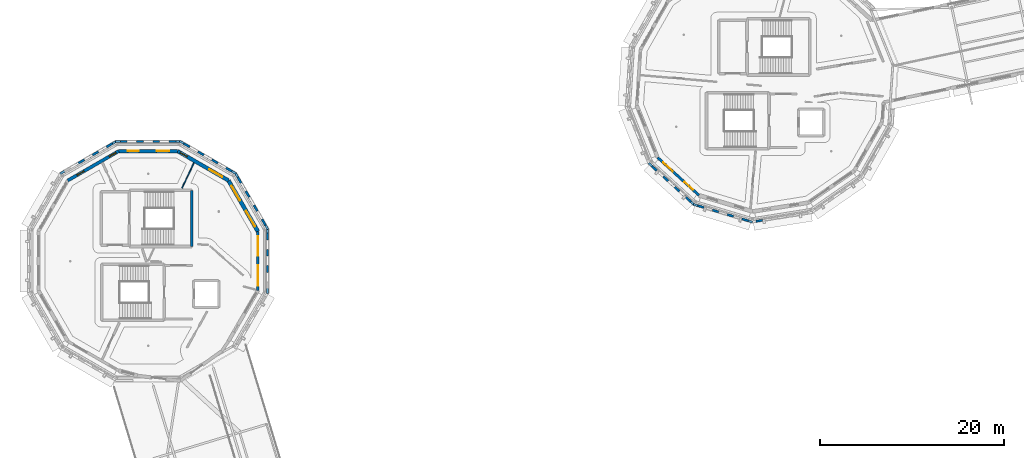
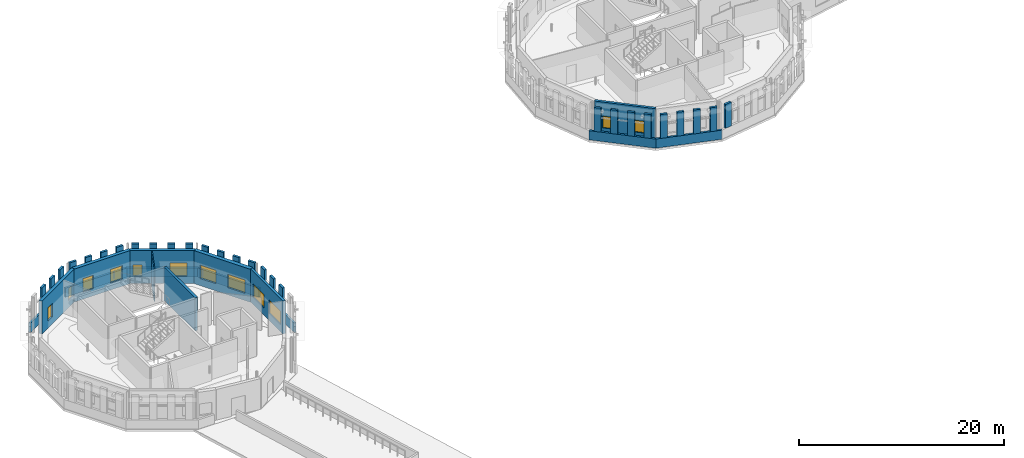
# One storey, part 40 of 68: 42 walls, 12 windows, 12 openings.
"""IFC4 building model written with IfcOpenShell, lengths in metres."""

import ifcopenshell
import ifcopenshell.guid

model = None  # the IFC model being written
_history = None  # IfcOwnerHistory: only IFC2X3 demands one
_inside = {}  # id of a spatial element -> (the spatial element, [elements in it])
_under = {}  # id of a project, library or spatial element -> (it, [spatial elements below it])
_declared = {}  # id of a project -> (the project, [libraries it declares])
_typed = {}  # id of a type object -> (the type object, [elements of that type])
_made_of = {}  # id of a material, layer set ... -> (it, [elements and type objects made of it])


def new_model(schema):
    """Start an empty IFC model of exactly this schema.

    Asked for "IFC4X3", IfcOpenShell would pick the latest addendum, in which some entities
    have other attributes; the version numbers below select the first issue.
    IFC2X3 requires an IfcOwnerHistory on every rooted entity: one is made here for all.
    """
    global model, _history
    if schema == "IFC4X3":
        model = ifcopenshell.file(schema_version=(4, 3, 0, 0))
    else:
        model = ifcopenshell.file(schema=schema)
    _inside.clear()
    _under.clear()
    _declared.clear()
    _typed.clear()
    _made_of.clear()
    _history = None
    if model.schema == "IFC2X3":
        org = make("IfcOrganization", Name="unknown")
        user = make(
            "IfcPersonAndOrganization",
            ThePerson=make("IfcPerson", FamilyName="unknown"),
            TheOrganization=org,
        )
        app = make(
            "IfcApplication",
            ApplicationDeveloper=org,
            Version="unknown",
            ApplicationFullName="unknown",
            ApplicationIdentifier="unknown",
        )
        _history = make(
            "IfcOwnerHistory",
            OwningUser=user,
            OwningApplication=app,
            ChangeAction="ADDED",
            CreationDate=0,
        )
    return model


def make(cls, **values):
    """One entity of the class cls with the attributes given. An attribute that is None is left unset."""
    return model.create_entity(
        cls, **{name: value for name, value in values.items() if value is not None}
    )


def rooted(cls, **values):
    """An entity with a GlobalId (a new one), such as an element, a storey or a relation."""
    return make(cls, GlobalId=ifcopenshell.guid.new(), OwnerHistory=_history, **values)


def si_unit(unit_type, name, prefix=None):
    """IfcSIUnit, for example si_unit("LENGTHUNIT", "METRE", prefix="MILLI")."""
    return make("IfcSIUnit", UnitType=unit_type, Prefix=prefix, Name=name)


def assignment(units):
    """IfcUnitAssignment: the units of a project."""
    return None if units is None else make("IfcUnitAssignment", Units=units)


def point(xyz):
    """IfcCartesianPoint."""
    return None if xyz is None else make("IfcCartesianPoint", Coordinates=xyz)


def direction(xyz):
    """IfcDirection."""
    return None if xyz is None else make("IfcDirection", DirectionRatios=xyz)


def frame(location, z_axis=None, x_axis=None):
    """IfcAxis2Placement3D, a coordinate frame: its origin and axes. An axis left out is left unset."""
    return make(
        "IfcAxis2Placement3D",
        Location=point(location),
        Axis=direction(z_axis),
        RefDirection=direction(x_axis),
    )


def frame_2d(location, x_axis=None):
    """IfcAxis2Placement2D, a coordinate frame in the plane: its origin and x axis."""
    return make(
        "IfcAxis2Placement2D", Location=point(location), RefDirection=direction(x_axis)
    )


def origin():
    """The frame at (0, 0, 0) with its axes left unset."""
    return frame((0.0, 0.0, 0.0))


def place(relative_to, where):
    """IfcLocalPlacement: puts the frame where relative to a parent placement (None: the world)."""
    return make(
        "IfcLocalPlacement", PlacementRelTo=relative_to, RelativePlacement=where
    )


def context(
    kind, dimensions, precision=None, world=None, true_north=None, identifier=None
):
    """IfcGeometricRepresentationContext, for example the 3D "Model" context."""
    return make(
        "IfcGeometricRepresentationContext",
        ContextIdentifier=identifier,
        ContextType=kind,
        CoordinateSpaceDimension=dimensions,
        Precision=precision,
        WorldCoordinateSystem=world,
        TrueNorth=true_north,
    )


def subcontext(parent, identifier, kind, view, scale=None):
    """IfcGeometricRepresentationSubContext, for example "Body" below "Model"."""
    return make(
        "IfcGeometricRepresentationSubContext",
        ContextIdentifier=identifier,
        ContextType=kind,
        ParentContext=parent,
        TargetScale=scale,
        TargetView=view,
    )


def project(units=None, contexts=None):
    """IfcProject with its units and contexts."""
    return rooted(
        "IfcProject",
        Name="project",
        RepresentationContexts=contexts,
        UnitsInContext=assignment(units),
    )


def spatial(cls, under=None, at=None, **own):
    """A site, building, storey or space (cls), placed at a placement, below another one or the project."""
    s = rooted(cls, ObjectPlacement=at, **own)
    if under is not None:
        _under.setdefault(under.id(), (under, []))[1].append(s)
    return s


def profile(cls, at=None, kind="AREA", **sizes):
    """A parametric profile (cls). Its sizes go by their IFC names, for example OverallWidth=200.0."""
    return make(cls, ProfileType=kind, Position=at, **sizes)


def rectangle(**sizes):
    """IfcRectangleProfileDef."""
    return profile("IfcRectangleProfileDef", **sizes)


def extrude(swept, where, along, depth):
    """IfcExtrudedAreaSolid: the profile swept, set in the frame where, extruded along a direction by depth."""
    return make(
        "IfcExtrudedAreaSolid",
        SweptArea=swept,
        Position=where,
        ExtrudedDirection=direction(along),
        Depth=depth,
    )


def shape(context_of_items, identifier, shape_type, items):
    """IfcShapeRepresentation: the items that make up one representation, for example the "Body"."""
    return make(
        "IfcShapeRepresentation",
        ContextOfItems=context_of_items,
        RepresentationIdentifier=identifier,
        RepresentationType=shape_type,
        Items=items,
    )


def material(Name=None, Category=None):
    """IfcMaterial."""
    return make("IfcMaterial", Name=Name, Category=Category)


def layer(
    of_material, thickness, ventilated=None, Name=None, Category=None, Priority=None
):
    """IfcMaterialLayer: one layer of a wall or slab, of a material (None: an air gap)."""
    return make(
        "IfcMaterialLayer",
        Material=of_material,
        LayerThickness=thickness,
        IsVentilated=ventilated,
        Name=Name,
        Category=Category,
        Priority=Priority,
    )


def layer_set(layers, Name=None):
    """IfcMaterialLayerSet."""
    return make("IfcMaterialLayerSet", MaterialLayers=layers, LayerSetName=Name)


def made_of(thing, what):
    """Note that an element or type object is made of a material, layer set ...; save() writes the relation."""
    if what is not None:
        _made_of.setdefault(what.id(), (what, []))[1].append(thing)
    return thing


def type_object(cls, material=None, **own):
    """A type object (cls), such as IfcWallType, which elements share."""
    return made_of(rooted(cls, **own), material)


def element(
    cls,
    number,
    at=None,
    inside=None,
    cuts=None,
    type_object=None,
    material=None,
    context=None,
    identifier="Body",
    shape_type=None,
    held_by="IfcProductDefinitionShape",
    body=None,
    shapes=None,
    **own,
):
    """One element of the class cls, such as IfcWall. Its Tag is "e" and its number.

    at: its placement. inside: the storey or other place that contains it. cuts: it is an
    opening in that element (IfcRelVoidsElement). A single representation is given by context,
    identifier, shape_type and body (its items); several are given by shapes. held_by: the class
    of the entity that holds the representations. save() writes the other relations.
    """
    e = rooted(cls, Tag="e%d" % number, ObjectPlacement=at, **own)
    if body is not None:
        shapes = [shape(context, identifier, shape_type, body)]
    if shapes is not None:
        e.Representation = make(held_by, Representations=shapes)
    if inside is not None:
        _inside.setdefault(inside.id(), (inside, []))[1].append(e)
    if cuts is not None:
        rooted(
            "IfcRelVoidsElement", RelatingBuildingElement=cuts, RelatedOpeningElement=e
        )
    if type_object is not None:
        _typed.setdefault(type_object.id(), (type_object, []))[1].append(e)
    return made_of(e, material)


def fill(opening, filler):
    """IfcRelFillsElement: the door or window that sits in an opening."""
    return rooted(
        "IfcRelFillsElement",
        RelatingOpeningElement=opening,
        RelatedBuildingElement=filler,
    )


def aggregate(whole, parts):
    """IfcRelAggregates: a whole, such as a stair, and the parts it consists of."""
    return rooted("IfcRelAggregates", RelatingObject=whole, RelatedObjects=parts)


def save(model, path):
    """Write the relations noted so far, then the file.

    IfcRelAggregates (storeys below a building ...), IfcRelContainedInSpatialStructure (elements
    in a storey), IfcRelDefinesByType, IfcRelAssociatesMaterial and IfcRelDeclares: one each for
    every whole, place, type object, material and project.
    """
    for whole, parts in _under.values():
        aggregate(whole, parts)
    for where, things in _inside.values():
        rooted(
            "IfcRelContainedInSpatialStructure",
            RelatedElements=things,
            RelatingStructure=where,
        )
    for kind, things in _typed.values():
        rooted("IfcRelDefinesByType", RelatedObjects=things, RelatingType=kind)
    for what, things in _made_of.values():
        rooted("IfcRelAssociatesMaterial", RelatedObjects=things, RelatingMaterial=what)
    for by, libraries in _declared.values():
        rooted("IfcRelDeclares", RelatingContext=by, RelatedDefinitions=libraries)
    model.write(path)


model = new_model("IFC4")

# Units and contexts
model_context = context("Model", 3, precision=1e-05, world=origin(), true_north=direction((0.0, 1.0)))
body_context = subcontext(model_context, "Body", "Model", "MODEL_VIEW")
ifc_project = project(units=[si_unit("LENGTHUNIT", "METRE"), si_unit("AREAUNIT", "SQUARE_METRE"), si_unit("VOLUMEUNIT", "CUBIC_METRE"), si_unit("PLANEANGLEUNIT", "RADIAN"), si_unit("MASSUNIT", "GRAM", prefix="KILO")], contexts=[model_context])

# Site, building, storey
site_placement = place(None, origin())
site = spatial("IfcSite", under=ifc_project, at=site_placement, CompositionType="ELEMENT")
building_placement = place(site_placement, origin())
building = spatial("IfcBuilding", under=site, at=building_placement, Name="Wrenclough Park School", CompositionType="ELEMENT")
storey_placement = place(building_placement, frame((0.0, 0.0, 12.60009765625)))
storey = spatial("IfcBuildingStorey", under=building, at=storey_placement, Name="L03", CompositionType="ELEMENT", Elevation=12.60009765625)

# Walls
ifc_material_1 = material(Name="Perforated open-bond Staffordshire and Manchester brick screen pier", Category="masonry")
ifc_layer_1 = layer(ifc_material_1, 0.2451171875)
ifc_layer_set_1 = layer_set([ifc_layer_1], Name="Perforated open-bond Staffordshire and Manchester brick screen pier")
wall_type_1 = type_object("IfcWallType", Name="ENV-BS-PR245", PredefinedType="ELEMENTEDWALL", material=ifc_layer_set_1)
wall_1_placement = place(storey_placement, frame((29.2255859375, 93.3720703125, 1.08984375), z_axis=(0.0, 0.0, 1.0), x_axis=(-0.500189527592, 0.865915952323, 0.0)))
element("IfcWall", 1, at=wall_1_placement, inside=storey, type_object=wall_type_1, Name="D3 L03 perforated brick screen pier 0759", PredefinedType="ELEMENTEDWALL", context=body_context, shape_type="SweptSolid", body=[
    extrude(rectangle(XDim=0.739013671875, YDim=0.2451171875, at=frame_2d((0.36962890625, 0.0))), origin(), (0.0, 0.0, 1.0), 2.85009765625),
])
wall_2_placement = place(storey_placement, frame((28.345458984375, 94.896240234375, 1.08984375), z_axis=(0.0, 0.0, 1.0), x_axis=(-0.499941746681, 0.866059033742, 0.0)))
element("IfcWall", 2, at=wall_2_placement, inside=storey, type_object=wall_type_1, Name="D3 L03 perforated brick screen pier 0760", PredefinedType="ELEMENTEDWALL", context=body_context, shape_type="SweptSolid", body=[
    extrude(rectangle(XDim=0.73876953125, YDim=0.2451171875, at=frame_2d((0.369384765625, 0.0))), origin(), (0.0, 0.0, 1.0), 2.85009765625),
])
for number, where, z_axis, x_axis, name in (
    (3, (27.465576171875, 96.42041015625, 1.08984375), (0.0, 0.0, 1.0), (-0.500189527592, 0.865915952323, 0.0), "D3 L03 perforated brick screen pier 0761"),
    (4, (26.58544921875, 97.944580078125, 1.08984375), (0.0, 0.0, 1.0), (-0.499798711192, 0.866141586746, 0.0), "D3 L03 perforated brick screen pier 0762"),
    (5, (25.584716796875, 99.216064453125, 1.08984375), (0.0, 0.0, 1.0), (-0.866141586746, 0.499798711192, 0.0), "D3 L03 perforated brick screen pier 0763"),
    (6, (24.060302734375, 100.095947265625, 1.08984375), (0.0, 0.0, 1.0), (-0.865915952323, 0.500189527592, 0.0), "D3 L03 perforated brick screen pier 0764"),
):
    element("IfcWall", number, at=place(storey_placement, frame(where, z_axis=z_axis, x_axis=x_axis)), inside=storey, type_object=wall_type_1, Name=name, PredefinedType="ELEMENTEDWALL", context=body_context, shape_type="SweptSolid", body=[
        extrude(rectangle(XDim=0.739013671875, YDim=0.2451171875, at=frame_2d((0.36962890625, 0.0))), origin(), (0.0, 0.0, 1.0), 2.85009765625),
    ])
wall_3_placement = place(storey_placement, frame((22.5361328125, 100.97607421875, 1.08984375), z_axis=(0.0, 0.0, 1.0), x_axis=(-0.866059033742, 0.499941746681, 0.0)))
element("IfcWall", 7, at=wall_3_placement, inside=storey, type_object=wall_type_1, Name="D3 L03 perforated brick screen pier 0765", PredefinedType="ELEMENTEDWALL", context=body_context, shape_type="SweptSolid", body=[
    extrude(rectangle(XDim=0.73876953125, YDim=0.2451171875, at=frame_2d((0.369384765625, 0.0))), origin(), (0.0, 0.0, 1.0), 2.85009765625),
])
for number, where, z_axis, x_axis, name in (
    (8, (21.011962890625, 101.85595703125, 1.08984375), (0.0, 0.0, 1.0), (-0.865915952323, 0.500189527592, 0.0), "D3 L03 perforated brick screen pier 0766"),
    (9, (19.509521484375, 102.45654296875, 1.08984375), (0.0, 0.0, 1.0), (-1.0, 0.0, 0.0), "D3 L03 perforated brick screen pier 0767"),
    (10, (17.74951171875, 102.45654296875, 1.08984375), (0.0, 0.0, 1.0), (-1.0, 0.0, 0.0), "D3 L03 perforated brick screen pier 0768"),
    (11, (15.989501953125, 102.45654296875, 1.08984375), (0.0, 0.0, 1.0), (-1.0, 0.0, 0.0), "D3 L03 perforated brick screen pier 0769"),
    (12, (14.2294921875, 102.45654296875, 1.08984375), (0.0, 0.0, 1.0), (-1.0, 0.0, 0.0), "D3 L03 perforated brick screen pier 0770"),
    (13, (12.6279296875, 102.2255859375, 1.08984375), (0.0, 0.0, 1.0), (-0.865915952323, -0.500189527592, 0.0), "D3 L03 perforated brick screen pier 0771"),
):
    element("IfcWall", number, at=place(storey_placement, frame(where, z_axis=z_axis, x_axis=x_axis)), inside=storey, type_object=wall_type_1, Name=name, PredefinedType="ELEMENTEDWALL", context=body_context, shape_type="SweptSolid", body=[
        extrude(rectangle(XDim=0.739013671875, YDim=0.2451171875, at=frame_2d((0.36962890625, 0.0))), origin(), (0.0, 0.0, 1.0), 2.85009765625),
    ])
wall_4_placement = place(storey_placement, frame((11.103759765625, 101.345458984375, 1.08984375), z_axis=(0.0, 0.0, 1.0), x_axis=(-0.866059033742, -0.499941746681, 0.0)))
element("IfcWall", 14, at=wall_4_placement, inside=storey, type_object=wall_type_1, Name="D3 L03 perforated brick screen pier 0772", PredefinedType="ELEMENTEDWALL", context=body_context, shape_type="SweptSolid", body=[
    extrude(rectangle(XDim=0.73876953125, YDim=0.2451171875, at=frame_2d((0.369384765625, 0.0))), origin(), (0.0, 0.0, 1.0), 2.85009765625),
])
for number, where, z_axis, x_axis, name in (
    (15, (9.57958984375, 100.465576171875, 1.08984375), (0.0, 0.0, 1.0), (-0.865915952323, -0.500189527592, 0.0), "D3 L03 perforated brick screen pier 0773"),
    (16, (29.45654296875, 88.25048828125, 1.08984375), (0.0, 0.0, 1.0), (0.0, 1.0, 0.0), "D3 L03 perforated brick screen pier 0796"),
    (17, (29.45654296875, 90.010498046875, 1.08984375), (0.0, 0.0, 1.0), (0.0, 1.0, 0.0), "D3 L03 perforated brick screen pier 0797"),
    (18, (29.45654296875, 91.7705078125, 1.08984375), (0.0, 0.0, 1.0), (0.0, 1.0, 0.0), "D3 L03 perforated brick screen pier 0798"),
):
    element("IfcWall", number, at=place(storey_placement, frame(where, z_axis=z_axis, x_axis=x_axis)), inside=storey, type_object=wall_type_1, Name=name, PredefinedType="ELEMENTEDWALL", context=body_context, shape_type="SweptSolid", body=[
        extrude(rectangle(XDim=0.739013671875, YDim=0.2451171875, at=frame_2d((0.36962890625, 0.0))), origin(), (0.0, 0.0, 1.0), 2.85009765625),
    ])
for number, where, z_axis, x_axis, name in (
    (19, (71.148681640625, 99.76416015625, 1.08984375), (0.0, 0.0, 1.0), (0.738093238047, -0.674698726803, 0.0), "D4 L03 perforated brick screen pier 0827"),
    (20, (72.380615234375, 98.63818359375, 1.08984375), (0.0, 0.0, 1.0), (0.738093238047, -0.674698726803, 0.0), "D4 L03 perforated brick screen pier 0828"),
    (21, (73.6123046875, 97.51220703125, 1.08984375), (0.0, 0.0, 1.0), (0.738093238047, -0.674698726803, 0.0), "D4 L03 perforated brick screen pier 0829"),
    (22, (74.84423828125, 96.38623046875, 1.08984375), (0.0, 0.0, 1.0), (0.738093238047, -0.674698726803, 0.0), "D4 L03 perforated brick screen pier 0830"),
    (23, (76.11279296875, 95.487060546875, 1.08984375), (0.0, 0.0, 1.0), (0.957730379015, -0.287667379297, 0.0), "D4 L03 perforated brick screen pier 0831"),
    (24, (77.711181640625, 95.007080078125, 1.08984375), (0.0, 0.0, 1.0), (0.957730379015, -0.287667379297, 0.0), "D4 L03 perforated brick screen pier 0832"),
    (25, (79.3095703125, 94.527099609375, 1.08984375), (0.0, 0.0, 1.0), (0.957826285221, -0.287347885566, 0.0), "D4 L03 perforated brick screen pier 0833"),
    (26, (80.907958984375, 94.047119140625, 1.08984375), (0.0, 0.0, 1.0), (0.957826285221, -0.287347885566, 0.0), "D4 L03 perforated brick screen pier 0834"),
    (27, (82.44091796875, 93.78759765625, 1.08984375), (0.0, 0.0, 1.0), (0.987697931756, 0.156373896812, 0.0), "D4 L03 perforated brick screen pier 0835"),
):
    element("IfcWall", number, at=place(storey_placement, frame(where, z_axis=z_axis, x_axis=x_axis)), inside=storey, type_object=wall_type_1, Name=name, PredefinedType="ELEMENTEDWALL", context=body_context, shape_type="SweptSolid", body=[
        extrude(rectangle(XDim=0.700927734375, YDim=0.2451171875, at=frame_2d((0.3505859375, 0.0))), origin(), (0.0, 0.0, 1.0), 2.85009765625),
    ])
ifc_material_2 = material(Name="Open-bond Manchester multi-stock brick spandrel screen", Category="masonry")
ifc_layer_2 = layer(ifc_material_2, 0.22509765625)
ifc_layer_set_2 = layer_set([ifc_layer_2], Name="Open-bond Manchester multi-stock brick spandrel screen")
wall_type_2 = type_object("IfcWallType", Name="ENV-BS-SP225", PredefinedType="ELEMENTEDWALL", material=ifc_layer_set_2)
for number, where, z_axis, x_axis, name in (
    (28, (29.480712890625, 92.929931640625, 0.0), (0.0, 0.0, 1.0), (-0.500010639957, 0.866019260715, 0.0), "D3 L03 open-bond brick screen spandrel 0203"),
    (29, (26.026611328125, 98.960693359375, 0.0), (0.0, 0.0, 1.0), (-0.866019260715, 0.500010639957, 0.0), "D3 L03 open-bond brick screen spandrel 0204"),
):
    element("IfcWall", number, at=place(storey_placement, frame(where, z_axis=z_axis, x_axis=x_axis)), inside=storey, type_object=wall_type_2, Name=name, PredefinedType="ELEMENTEDWALL", context=body_context, shape_type="SweptSolid", body=[
        extrude(rectangle(XDim=7.039794921875, YDim=0.22509765625, at=frame_2d((3.52001953125, 0.0))), origin(), (0.0, 0.0, 1.0), 1.08984375),
    ])
wall_5_placement = place(storey_placement, frame((20.02001953125, 102.45654296875, 0.0), z_axis=(0.0, 0.0, 1.0), x_axis=(-1.0, 0.0, 0.0)))
element("IfcWall", 30, at=wall_5_placement, inside=storey, type_object=wall_type_2, Name="D3 L03 open-bond brick screen spandrel 0205", PredefinedType="ELEMENTEDWALL", context=body_context, shape_type="SweptSolid", body=[
    extrude(rectangle(XDim=7.0400390625, YDim=0.22509765625, at=frame_2d((3.52001953125, 0.0))), origin(), (0.0, 0.0, 1.0), 1.08984375),
])
wall_6_placement = place(storey_placement, frame((13.070068359375, 102.480712890625, 0.0), z_axis=(0.0, 0.0, 1.0), x_axis=(-0.866019260715, -0.500010639957, 0.0)))
element("IfcWall", 31, at=wall_6_placement, inside=storey, type_object=wall_type_2, Name="D3 L03 open-bond brick screen spandrel 0206", PredefinedType="ELEMENTEDWALL", context=body_context, shape_type="SweptSolid", body=[
    extrude(rectangle(XDim=7.039794921875, YDim=0.22509765625, at=frame_2d((3.52001953125, 0.0))), origin(), (0.0, 0.0, 1.0), 1.08984375),
])
wall_7_placement = place(storey_placement, frame((29.45654296875, 85.97998046875, 0.0), z_axis=(0.0, 0.0, 1.0), x_axis=(0.0, 1.0, 0.0)))
element("IfcWall", 32, at=wall_7_placement, inside=storey, type_object=wall_type_2, Name="D3 L03 open-bond brick screen spandrel 0213", PredefinedType="ELEMENTEDWALL", context=body_context, shape_type="SweptSolid", body=[
    extrude(rectangle(XDim=7.0400390625, YDim=0.22509765625, at=frame_2d((3.52001953125, 0.0))), origin(), (0.0, 0.0, 1.0), 1.08984375),
])
wall_8_placement = place(storey_placement, frame((70.79150390625, 100.090576171875, 0.0), z_axis=(0.0, 0.0, 1.0), x_axis=(0.738121953815, -0.674667311566, 0.0)))
element("IfcWall", 33, at=wall_8_placement, inside=storey, type_object=wall_type_2, Name="D4 L03 open-bond brick screen spandrel 0221", PredefinedType="ELEMENTEDWALL", context=body_context, shape_type="SweptSolid", body=[
    extrude(rectangle(XDim=6.67529296875, YDim=0.22509765625, at=frame_2d((3.337646484375, 0.0))), origin(), (0.0, 0.0, 1.0), 1.08984375),
])
wall_9_placement = place(storey_placement, frame((75.649169921875, 95.626220703125, 0.0), z_axis=(0.0, 0.0, 1.0), x_axis=(0.957749751871, -0.287602873404, 0.0)))
element("IfcWall", 34, at=wall_9_placement, inside=storey, type_object=wall_type_2, Name="D4 L03 open-bond brick screen spandrel 0222", PredefinedType="ELEMENTEDWALL", context=body_context, shape_type="SweptSolid", body=[
    extrude(rectangle(XDim=6.675537109375, YDim=0.22509765625, at=frame_2d((3.337890625, 0.0))), origin(), (0.0, 0.0, 1.0), 1.08984375),
])

# Wall, openings, windows
ifc_material_3 = material(Name="Link wing brick-faced cavity wall Concrete C32/40", Category="masonry")
ifc_layer_3 = layer(ifc_material_3, 0.27490234375)
ifc_layer_set_3 = layer_set([ifc_layer_3], Name="Link wing brick-faced cavity wall Concrete C32/40")
wall_type_3 = type_object("IfcWallType", Name="ENV-EW-275", PredefinedType="SOLIDWALL", material=ifc_layer_set_3)
wall_10_placement = place(storey_placement, frame((76.25048828125, 96.6044921875, 0.0), z_axis=(0.0, 0.0, 1.0), x_axis=(-0.738120686041, 0.674668698576, 0.0)))
wall_10 = element("IfcWall", 35, at=wall_10_placement, inside=storey, type_object=wall_type_3, Name="L03 insulated brick external wall 0270", PredefinedType="SOLIDWALL", context=body_context, shape_type="SweptSolid", body=[
    extrude(rectangle(XDim=6.0869140625, YDim=0.27490234375, at=frame_2d((3.04345703125, 0.0))), origin(), (0.0, 0.0, 1.0), 3.93994140625),
])
opening_1_placement = place(wall_10_placement, frame((0.896728515625, 0.0, 0.85009765625)))
opening_1 = element("IfcOpeningElement", 36, at=opening_1_placement, cuts=wall_10, Name="Opening WN-04", PredefinedType="OPENING", context=body_context, shape_type="SweptSolid", body=[
    extrude(rectangle(XDim=1.25, YDim=1.39990234375, at=frame_2d((0.625, 0.699951171875))), frame((0.0, 0.1474609375, 0.0), z_axis=(0.0, -1.0, 0.0), x_axis=(1.0, 0.0, 0.0)), (0.0, 0.0, 1.0), 0.294921875),
])
opening_2_placement = place(wall_10_placement, frame((3.865234375, 0.0, 0.85009765625)))
opening_2 = element("IfcOpeningElement", 37, at=opening_2_placement, cuts=wall_10, Name="Opening WN-05", PredefinedType="OPENING", context=body_context, shape_type="SweptSolid", body=[
    extrude(rectangle(XDim=1.39990234375, YDim=1.39990234375, at=frame_2d((0.699951171875, 0.699951171875))), frame((0.0, 0.1474609375, 0.0), z_axis=(0.0, -1.0, 0.0), x_axis=(1.0, 0.0, 0.0)), (0.0, 0.0, 1.0), 0.294921875),
])
ifc_material_4 = material(Name="Thermally broken aluminium and double-glazed low-e glass", Category="aluminium")
window_type_1 = type_object("IfcWindowType", Name="ENV-WN-04", PartitioningType="SINGLE_PANEL", PredefinedType="WINDOW", material=ifc_material_4)
window_1_placement = place(opening_1_placement, origin())
window_1 = element("IfcWindow", 38, at=window_1_placement, inside=storey, type_object=window_type_1, Name="L03 scheduled facade window 0451", OverallHeight=1.39990234375, OverallWidth=1.25, PartitioningType="SINGLE_PANEL", PredefinedType="WINDOW", context=body_context, shape_type="SweptSolid", body=[
    extrude(rectangle(XDim=1.25, YDim=1.39990234375, at=frame_2d((0.625, 0.699951171875))), frame((0.0, 0.030029296875, 0.0), z_axis=(0.0, -1.0, 0.0), x_axis=(1.0, 0.0, 0.0)), (0.0, 0.0, 1.0), 0.06005859375),
])
fill(opening_1, window_1)
window_type_2 = type_object("IfcWindowType", Name="ENV-WN-05", PartitioningType="SINGLE_PANEL", PredefinedType="WINDOW", material=ifc_material_4)
window_2_placement = place(opening_2_placement, origin())
window_2 = element("IfcWindow", 39, at=window_2_placement, inside=storey, type_object=window_type_2, Name="L03 scheduled facade window 0452", OverallHeight=1.39990234375, OverallWidth=1.39990234375, PartitioningType="SINGLE_PANEL", PredefinedType="WINDOW", context=body_context, shape_type="SweptSolid", body=[
    extrude(rectangle(XDim=1.39990234375, YDim=1.39990234375, at=frame_2d((0.699951171875, 0.699951171875))), frame((0.0, 0.030029296875, 0.0), z_axis=(0.0, -1.0, 0.0), x_axis=(1.0, 0.0, 0.0)), (0.0, 0.0, 1.0), 0.06005859375),
])
fill(opening_2, window_2)

wall_11_placement = place(storey_placement, frame((28.40576171875, 92.690185546875, 0.0), z_axis=(0.0, 0.0, 1.0), x_axis=(0.0, -1.0, 0.0)))
wall_11 = element("IfcWall", 40, at=wall_11_placement, inside=storey, type_object=wall_type_3, Name="L03 insulated brick external wall 0342", PredefinedType="SOLIDWALL", context=body_context, shape_type="SweptSolid", body=[
    extrude(rectangle(XDim=6.38037109375, YDim=0.27490234375, at=frame_2d((3.190185546875, 0.0))), origin(), (0.0, 0.0, 1.0), 3.93994140625),
])
opening_3_placement = place(wall_11_placement, frame((0.545166015625, 0.0, 0.85009765625)))
opening_3 = element("IfcOpeningElement", 41, at=opening_3_placement, cuts=wall_11, Name="Opening WN-21", PredefinedType="OPENING", context=body_context, shape_type="SweptSolid", body=[
    extrude(rectangle(XDim=2.10009765625, YDim=1.60009765625, at=frame_2d((1.050048828125, 0.800048828125))), frame((0.0, 0.1474609375, 0.0), z_axis=(0.0, -1.0, 0.0), x_axis=(1.0, 0.0, 0.0)), (0.0, 0.0, 1.0), 0.294921875),
])
opening_4_placement = place(wall_11_placement, frame((3.660400390625, 0.0, 0.85009765625)))
opening_4 = element("IfcOpeningElement", 42, at=opening_4_placement, cuts=wall_11, Name="Opening WN-22", PredefinedType="OPENING", context=body_context, shape_type="SweptSolid", body=[
    extrude(rectangle(XDim=2.25, YDim=1.60009765625, at=frame_2d((1.125, 0.800048828125))), frame((0.0, 0.1474609375, 0.0), z_axis=(0.0, -1.0, 0.0), x_axis=(1.0, 0.0, 0.0)), (0.0, 0.0, 1.0), 0.294921875),
])
window_type_3 = type_object("IfcWindowType", Name="ENV-WN-21", PartitioningType="DOUBLE_PANEL_VERTICAL", PredefinedType="WINDOW", material=ifc_material_4)
window_3_placement = place(opening_3_placement, origin())
window_3 = element("IfcWindow", 43, at=window_3_placement, inside=storey, type_object=window_type_3, Name="L03 scheduled facade window 0580", OverallHeight=1.60009765625, OverallWidth=2.10009765625, PartitioningType="SINGLE_PANEL", PredefinedType="WINDOW", context=body_context, shape_type="SweptSolid", body=[
    extrude(rectangle(XDim=2.10009765625, YDim=1.60009765625, at=frame_2d((1.050048828125, 0.800048828125))), frame((0.0, 0.030029296875, 0.0), z_axis=(0.0, -1.0, 0.0), x_axis=(1.0, 0.0, 0.0)), (0.0, 0.0, 1.0), 0.06005859375),
])
fill(opening_3, window_3)
window_type_4 = type_object("IfcWindowType", Name="ENV-WN-22", PartitioningType="DOUBLE_PANEL_VERTICAL", PredefinedType="WINDOW", material=ifc_material_4)
window_4_placement = place(opening_4_placement, origin())
window_4 = element("IfcWindow", 44, at=window_4_placement, inside=storey, type_object=window_type_4, Name="L03 scheduled facade window 0581", OverallHeight=1.60009765625, OverallWidth=2.25, PartitioningType="SINGLE_PANEL", PredefinedType="WINDOW", context=body_context, shape_type="SweptSolid", body=[
    extrude(rectangle(XDim=2.25, YDim=1.60009765625, at=frame_2d((1.125, 0.800048828125))), frame((0.0, 0.030029296875, 0.0), z_axis=(0.0, -1.0, 0.0), x_axis=(1.0, 0.0, 0.0)), (0.0, 0.0, 1.0), 0.06005859375),
])
fill(opening_4, window_4)

ifc_material_5 = material(Name="Staffordshire blue-grey brick and Concrete C35/45 inner leaf", Category="masonry")
ifc_layer_4 = layer(ifc_material_5, 0.35009765625)
ifc_layer_set_4 = layer_set([ifc_layer_4], Name="Staffordshire blue-grey brick and Concrete C35/45 inner leaf")
wall_type_4 = type_object("IfcWallType", Name="ENV-EW-350", PredefinedType="SOLIDWALL", material=ifc_layer_set_4)
wall_12_placement = place(storey_placement, frame((7.7841796875, 98.2158203125, 0.0), z_axis=(0.0, 0.0, 1.0), x_axis=(0.866044766488, 0.499966461314, 0.0)))
wall_12 = element("IfcWall", 45, at=wall_12_placement, inside=storey, type_object=wall_type_4, Name="L03 insulated brick external wall 0338", PredefinedType="SOLIDWALL", context=body_context, shape_type="SweptSolid", body=[
    extrude(rectangle(XDim=6.38037109375, YDim=0.35009765625, at=frame_2d((3.190185546875, 0.0))), origin(), (0.0, 0.0, 1.0), 3.93994140625),
])
opening_5_placement = place(wall_12_placement, frame((1.14501953125, 0.0, 0.85009765625)))
opening_5 = element("IfcOpeningElement", 46, at=opening_5_placement, cuts=wall_12, Name="Opening WN-13", PredefinedType="OPENING", context=body_context, shape_type="SweptSolid", body=[
    extrude(rectangle(XDim=0.89990234375, YDim=1.60009765625, at=frame_2d((0.449951171875, 0.800048828125))), frame((0.0, 0.18505859375, 0.0), z_axis=(0.0, -1.0, 0.0), x_axis=(1.0, 0.0, 0.0)), (0.0, 0.0, 1.0), 0.3701171875),
])
opening_6_placement = place(wall_12_placement, frame((5.180419921875, 0.0, 0.85009765625)))
opening_6 = element("IfcOpeningElement", 47, at=opening_6_placement, cuts=wall_12, Name="Opening WN-01", PredefinedType="OPENING", context=body_context, shape_type="SweptSolid", body=[
    extrude(rectangle(XDim=0.85009765625, YDim=1.39990234375, at=frame_2d((0.425048828125, 0.699951171875))), frame((0.0, 0.18505859375, 0.0), z_axis=(0.0, -1.0, 0.0), x_axis=(1.0, 0.0, 0.0)), (0.0, 0.0, 1.0), 0.3701171875),
])
window_type_5 = type_object("IfcWindowType", Name="ENV-WN-01", PartitioningType="SINGLE_PANEL", PredefinedType="WINDOW", material=ifc_material_4)
window_5_placement = place(opening_6_placement, origin())
window_5 = element("IfcWindow", 48, at=window_5_placement, inside=storey, type_object=window_type_5, Name="L03 scheduled facade window 0573", OverallHeight=1.39990234375, OverallWidth=0.85009765625, PartitioningType="SINGLE_PANEL", PredefinedType="WINDOW", context=body_context, shape_type="SweptSolid", body=[
    extrude(rectangle(XDim=0.85009765625, YDim=1.39990234375, at=frame_2d((0.425048828125, 0.699951171875))), frame((0.0, 0.030029296875, 0.0), z_axis=(0.0, -1.0, 0.0), x_axis=(1.0, 0.0, 0.0)), (0.0, 0.0, 1.0), 0.06005859375),
])
fill(opening_6, window_5)
window_type_6 = type_object("IfcWindowType", Name="ENV-WN-13", PartitioningType="SINGLE_PANEL", PredefinedType="WINDOW", material=ifc_material_4)
window_6_placement = place(opening_5_placement, origin())
window_6 = element("IfcWindow", 49, at=window_6_placement, inside=storey, type_object=window_type_6, Name="L03 scheduled facade window 0572", OverallHeight=1.60009765625, OverallWidth=0.89990234375, PartitioningType="SINGLE_PANEL", PredefinedType="WINDOW", context=body_context, shape_type="SweptSolid", body=[
    extrude(rectangle(XDim=0.89990234375, YDim=1.60009765625, at=frame_2d((0.449951171875, 0.800048828125))), frame((0.0, 0.030029296875, 0.0), z_axis=(0.0, -1.0, 0.0), x_axis=(1.0, 0.0, 0.0)), (0.0, 0.0, 1.0), 0.06005859375),
])
fill(opening_5, window_6)

ifc_material_6 = material(Name="Manchester multi-stock brick and Concrete C35/45 inner leaf", Category="masonry")
ifc_layer_5 = layer(ifc_material_6, 0.3798828125)
ifc_layer_set_5 = layer_set([ifc_layer_5], Name="Manchester multi-stock brick and Concrete C35/45 inner leaf")
wall_type_5 = type_object("IfcWallType", Name="ENV-EW-380", PredefinedType="SOLIDWALL", material=ifc_layer_set_5)
wall_13_placement = place(storey_placement, frame((13.309814453125, 101.40576171875, 0.0), z_axis=(0.0, 0.0, 1.0), x_axis=(1.0, 0.0, 0.0)))
wall_13 = element("IfcWall", 50, at=wall_13_placement, inside=storey, type_object=wall_type_5, Name="L03 insulated brick external wall 0339", PredefinedType="SOLIDWALL", context=body_context, shape_type="SweptSolid", body=[
    extrude(rectangle(XDim=6.38037109375, YDim=0.3798828125, at=frame_2d((3.190185546875, 0.0))), origin(), (0.0, 0.0, 1.0), 3.93994140625),
])
opening_7_placement = place(wall_13_placement, frame((0.9951171875, 0.0, 0.85009765625)))
opening_7 = element("IfcOpeningElement", 51, at=opening_7_placement, cuts=wall_13, Name="Opening WN-15", PredefinedType="OPENING", context=body_context, shape_type="SweptSolid", body=[
    extrude(rectangle(XDim=1.199951171875, YDim=1.60009765625, at=frame_2d((0.60009765625, 0.800048828125))), frame((0.0, 0.199951171875, 0.0), z_axis=(0.0, -1.0, 0.0), x_axis=(1.0, 0.0, 0.0)), (0.0, 0.0, 1.0), 0.39990234375),
])
opening_8_placement = place(wall_13_placement, frame((4.1103515625, 0.0, 0.85009765625)))
opening_8 = element("IfcOpeningElement", 52, at=opening_8_placement, cuts=wall_13, Name="Opening WN-16", PredefinedType="OPENING", context=body_context, shape_type="SweptSolid", body=[
    extrude(rectangle(XDim=1.35009765625, YDim=1.60009765625, at=frame_2d((0.675048828125, 0.800048828125))), frame((0.0, 0.199951171875, 0.0), z_axis=(0.0, -1.0, 0.0), x_axis=(1.0, 0.0, 0.0)), (0.0, 0.0, 1.0), 0.39990234375),
])
window_type_7 = type_object("IfcWindowType", Name="ENV-WN-15", PartitioningType="SINGLE_PANEL", PredefinedType="WINDOW", material=ifc_material_4)
window_7_placement = place(opening_7_placement, origin())
window_7 = element("IfcWindow", 53, at=window_7_placement, inside=storey, type_object=window_type_7, Name="L03 scheduled facade window 0574", OverallHeight=1.60009765625, OverallWidth=1.199951171875, PartitioningType="SINGLE_PANEL", PredefinedType="WINDOW", context=body_context, shape_type="SweptSolid", body=[
    extrude(rectangle(XDim=1.199951171875, YDim=1.60009765625, at=frame_2d((0.60009765625, 0.800048828125))), frame((0.0, 0.030029296875, 0.0), z_axis=(0.0, -1.0, 0.0), x_axis=(1.0, 0.0, 0.0)), (0.0, 0.0, 1.0), 0.06005859375),
])
fill(opening_7, window_7)
window_type_8 = type_object("IfcWindowType", Name="ENV-WN-16", PartitioningType="SINGLE_PANEL", PredefinedType="WINDOW", material=ifc_material_4)
window_8_placement = place(opening_8_placement, origin())
window_8 = element("IfcWindow", 54, at=window_8_placement, inside=storey, type_object=window_type_8, Name="L03 scheduled facade window 0575", OverallHeight=1.60009765625, OverallWidth=1.35009765625, PartitioningType="SINGLE_PANEL", PredefinedType="WINDOW", context=body_context, shape_type="SweptSolid", body=[
    extrude(rectangle(XDim=1.35009765625, YDim=1.60009765625, at=frame_2d((0.675048828125, 0.800048828125))), frame((0.0, 0.030029296875, 0.0), z_axis=(0.0, -1.0, 0.0), x_axis=(1.0, 0.0, 0.0)), (0.0, 0.0, 1.0), 0.06005859375),
])
fill(opening_8, window_8)

ifc_material_7 = material(Name="Staffordshire blue-grey brick and Concrete C40/50 acoustic leaf", Category="masonry")
ifc_layer_6 = layer(ifc_material_7, 0.39990234375)
ifc_layer_set_6 = layer_set([ifc_layer_6], Name="Staffordshire blue-grey brick and Concrete C40/50 acoustic leaf")
wall_type_6 = type_object("IfcWallType", Name="ENV-EW-400", PredefinedType="SOLIDWALL", material=ifc_layer_set_6)
wall_14_placement = place(storey_placement, frame((19.690185546875, 101.40576171875, 0.0), z_axis=(0.0, 0.0, 1.0), x_axis=(0.866044766488, -0.499966461314, 0.0)))
wall_14 = element("IfcWall", 55, at=wall_14_placement, inside=storey, type_object=wall_type_6, Name="L03 insulated brick external wall 0340", PredefinedType="SOLIDWALL", context=body_context, shape_type="SweptSolid", body=[
    extrude(rectangle(XDim=6.38037109375, YDim=0.39990234375, at=frame_2d((3.190185546875, 0.0))), origin(), (0.0, 0.0, 1.0), 3.93994140625),
])
opening_9_placement = place(wall_14_placement, frame((0.35009765625, 0.0, 0.85009765625)))
opening_9 = element("IfcOpeningElement", 56, at=opening_9_placement, cuts=wall_14, Name="Opening WN-01", PredefinedType="OPENING", context=body_context, shape_type="SweptSolid", body=[
    extrude(rectangle(XDim=0.85009765625, YDim=1.39990234375, at=frame_2d((0.425048828125, 0.699951171875))), frame((0.0, 0.2099609375, 0.0), z_axis=(0.0, -1.0, 0.0), x_axis=(1.0, 0.0, 0.0)), (0.0, 0.0, 1.0), 0.419921875),
])
opening_10_placement = place(wall_14_placement, frame((3.960205078125, 0.0, 0.85009765625)))
opening_10 = element("IfcOpeningElement", 57, at=opening_10_placement, cuts=wall_14, Name="Opening WN-18", PredefinedType="OPENING", context=body_context, shape_type="SweptSolid", body=[
    extrude(rectangle(XDim=1.64990234375, YDim=1.60009765625, at=frame_2d((0.824951171875, 0.800048828125))), frame((0.0, 0.2099609375, 0.0), z_axis=(0.0, -1.0, 0.0), x_axis=(1.0, 0.0, 0.0)), (0.0, 0.0, 1.0), 0.419921875),
])
window_9_placement = place(opening_9_placement, origin())
window_9 = element("IfcWindow", 58, at=window_9_placement, inside=storey, type_object=window_type_5, Name="L03 scheduled facade window 0576", OverallHeight=1.39990234375, OverallWidth=0.85009765625, PartitioningType="SINGLE_PANEL", PredefinedType="WINDOW", context=body_context, shape_type="SweptSolid", body=[
    extrude(rectangle(XDim=0.85009765625, YDim=1.39990234375, at=frame_2d((0.425048828125, 0.699951171875))), frame((0.0, 0.030029296875, 0.0), z_axis=(0.0, -1.0, 0.0), x_axis=(1.0, 0.0, 0.0)), (0.0, 0.0, 1.0), 0.06005859375),
])
fill(opening_9, window_9)
window_type_9 = type_object("IfcWindowType", Name="ENV-WN-18", PartitioningType="DOUBLE_PANEL_VERTICAL", PredefinedType="WINDOW", material=ifc_material_4)
window_10_placement = place(opening_10_placement, origin())
window_10 = element("IfcWindow", 59, at=window_10_placement, inside=storey, type_object=window_type_9, Name="L03 scheduled facade window 0577", OverallHeight=1.60009765625, OverallWidth=1.64990234375, PartitioningType="SINGLE_PANEL", PredefinedType="WINDOW", context=body_context, shape_type="SweptSolid", body=[
    extrude(rectangle(XDim=1.64990234375, YDim=1.60009765625, at=frame_2d((0.824951171875, 0.800048828125))), frame((0.0, 0.030029296875, 0.0), z_axis=(0.0, -1.0, 0.0), x_axis=(1.0, 0.0, 0.0)), (0.0, 0.0, 1.0), 0.06005859375),
])
fill(opening_10, window_10)

ifc_material_8 = material(Name="Insulated brick-clad sports hall wall Concrete C40/50", Category="masonry")
ifc_layer_7 = layer(ifc_material_8, 0.425048828125)
ifc_layer_set_7 = layer_set([ifc_layer_7], Name="Insulated brick-clad sports hall wall Concrete C40/50")
wall_type_7 = type_object("IfcWallType", Name="ENV-EW-425", PredefinedType="SOLIDWALL", material=ifc_layer_set_7)
wall_15_placement = place(storey_placement, frame((25.2158203125, 98.2158203125, 0.0), z_axis=(0.0, 0.0, 1.0), x_axis=(0.499966461314, -0.866044766488, 0.0)))
wall_15 = element("IfcWall", 60, at=wall_15_placement, inside=storey, type_object=wall_type_7, Name="L03 insulated brick external wall 0341", PredefinedType="SOLIDWALL", context=body_context, shape_type="SweptSolid", body=[
    extrude(rectangle(XDim=6.38037109375, YDim=0.425048828125, at=frame_2d((3.190185546875, 0.0))), origin(), (0.0, 0.0, 1.0), 3.93994140625),
])
opening_11_placement = place(wall_15_placement, frame((0.695068359375, 0.0, 0.85009765625)))
opening_11 = element("IfcOpeningElement", 61, at=opening_11_placement, cuts=wall_15, Name="Opening WN-19", PredefinedType="OPENING", context=body_context, shape_type="SweptSolid", body=[
    extrude(rectangle(XDim=1.800048828125, YDim=1.60009765625, at=frame_2d((0.89990234375, 0.800048828125))), frame((0.0, 0.222412109375, 0.0), z_axis=(0.0, -1.0, 0.0), x_axis=(1.0, 0.0, 0.0)), (0.0, 0.0, 1.0), 0.445068359375),
])
opening_12_placement = place(wall_15_placement, frame((3.810302734375, 0.0, 0.85009765625)))
opening_12 = element("IfcOpeningElement", 62, at=opening_12_placement, cuts=wall_15, Name="Opening WN-20", PredefinedType="OPENING", context=body_context, shape_type="SweptSolid", body=[
    extrude(rectangle(XDim=1.949951171875, YDim=1.60009765625, at=frame_2d((0.97509765625, 0.800048828125))), frame((0.0, 0.222412109375, 0.0), z_axis=(0.0, -1.0, 0.0), x_axis=(1.0, 0.0, 0.0)), (0.0, 0.0, 1.0), 0.445068359375),
])
window_type_10 = type_object("IfcWindowType", Name="ENV-WN-19", PartitioningType="DOUBLE_PANEL_VERTICAL", PredefinedType="WINDOW", material=ifc_material_4)
window_11_placement = place(opening_11_placement, origin())
window_11 = element("IfcWindow", 63, at=window_11_placement, inside=storey, type_object=window_type_10, Name="L03 scheduled facade window 0578", OverallHeight=1.60009765625, OverallWidth=1.800048828125, PartitioningType="SINGLE_PANEL", PredefinedType="WINDOW", context=body_context, shape_type="SweptSolid", body=[
    extrude(rectangle(XDim=1.800048828125, YDim=1.60009765625, at=frame_2d((0.89990234375, 0.800048828125))), frame((0.0, 0.030029296875, 0.0), z_axis=(0.0, -1.0, 0.0), x_axis=(1.0, 0.0, 0.0)), (0.0, 0.0, 1.0), 0.06005859375),
])
fill(opening_11, window_11)
window_type_11 = type_object("IfcWindowType", Name="ENV-WN-20", PartitioningType="DOUBLE_PANEL_VERTICAL", PredefinedType="WINDOW", material=ifc_material_4)
window_12_placement = place(opening_12_placement, origin())
window_12 = element("IfcWindow", 64, at=window_12_placement, inside=storey, type_object=window_type_11, Name="L03 scheduled facade window 0579", OverallHeight=1.60009765625, OverallWidth=1.949951171875, PartitioningType="SINGLE_PANEL", PredefinedType="WINDOW", context=body_context, shape_type="SweptSolid", body=[
    extrude(rectangle(XDim=1.949951171875, YDim=1.60009765625, at=frame_2d((0.97509765625, 0.800048828125))), frame((0.0, 0.030029296875, 0.0), z_axis=(0.0, -1.0, 0.0), x_axis=(1.0, 0.0, 0.0)), (0.0, 0.0, 1.0), 0.06005859375),
])
fill(opening_12, window_12)

# Walls
ifc_material_9 = material(Name="Concrete C40/50", Category="concrete")
ifc_layer_8 = layer(ifc_material_9, 0.2900390625)
ifc_layer_set_8 = layer_set([ifc_layer_8], Name="Concrete C40/50")
wall_type_8 = type_object("IfcWallType", Name="INT-CW-290", PredefinedType="SHEAR", material=ifc_layer_set_8)
wall_16_placement = place(storey_placement, frame((21.2451171875, 91.054931640625, 0.0), z_axis=(0.0, 0.0, 1.0), x_axis=(0.0, 1.0, 0.0)))
element("IfcWall", 65, at=wall_16_placement, inside=storey, type_object=wall_type_8, Name="Core C3B L03 east shear wall", PredefinedType="SHEAR", context=body_context, shape_type="SweptSolid", body=[
    extrude(rectangle(XDim=6.090087890625, YDim=0.2900390625, at=frame_2d((3.044921875, 0.0))), origin(), (0.0, 0.0, 1.0), 3.949951171875),
])
ifc_material_10 = material(Name="Lightweight fire-rated store partition", Category="gypsum")
ifc_layer_9 = layer(ifc_material_10, 0.110107421875)
ifc_layer_set_9 = layer_set([ifc_layer_9], Name="Lightweight fire-rated store partition")
wall_type_9 = type_object("IfcWallType", Name="INT-PW-110", PredefinedType="PARTITIONING", material=ifc_layer_set_9)
wall_17_placement = place(storey_placement, frame((21.455322265625, 100.126953125, 0.0), z_axis=(0.0, 0.0, 1.0), x_axis=(-0.422611546557, -0.906310918348, 0.0)))
element("IfcWall", 66, at=wall_17_placement, inside=storey, type_object=wall_type_9, Name="L03 internal partition 0471", PredefinedType="PARTITIONING", context=body_context, shape_type="SweptSolid", body=[
    extrude(rectangle(XDim=3.025390625, YDim=0.110107421875, at=frame_2d((1.5126953125, 0.0))), origin(), (0.0, 0.0, 1.0), 3.93994140625),
])

save(model, "model.ifc")
